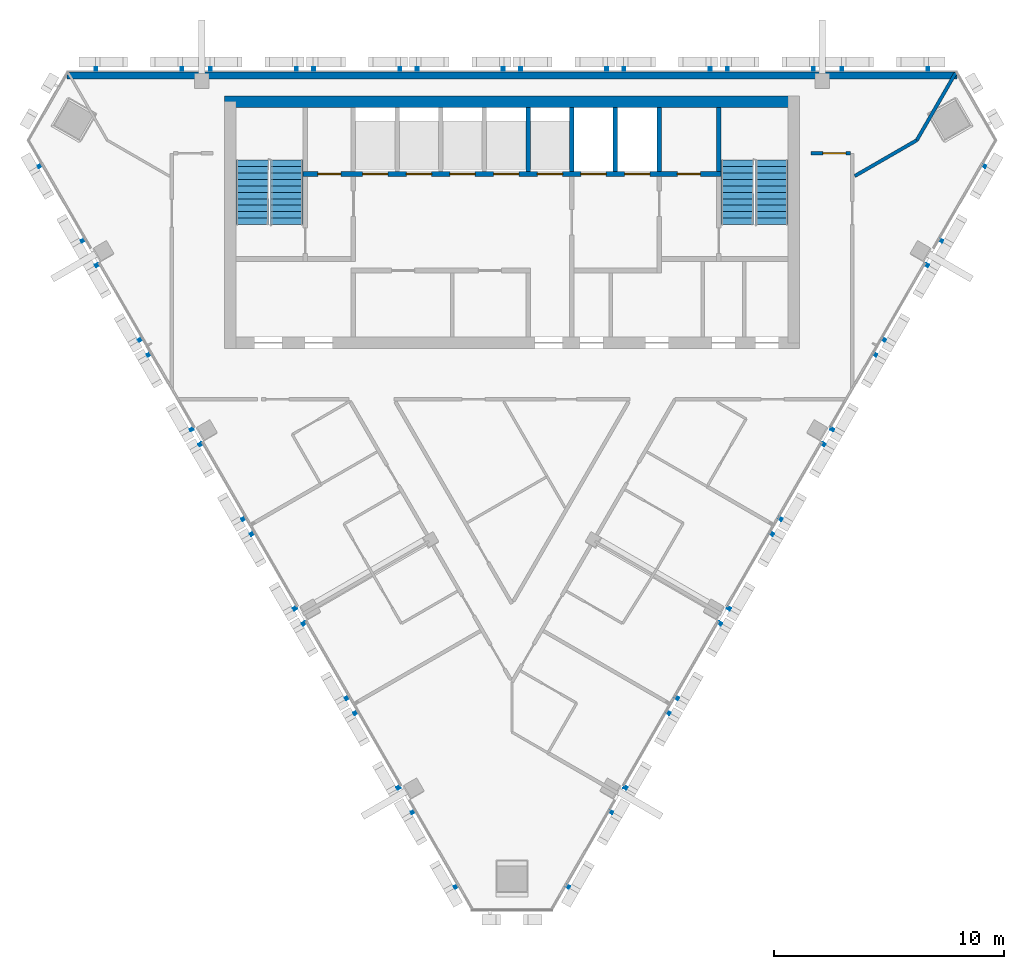
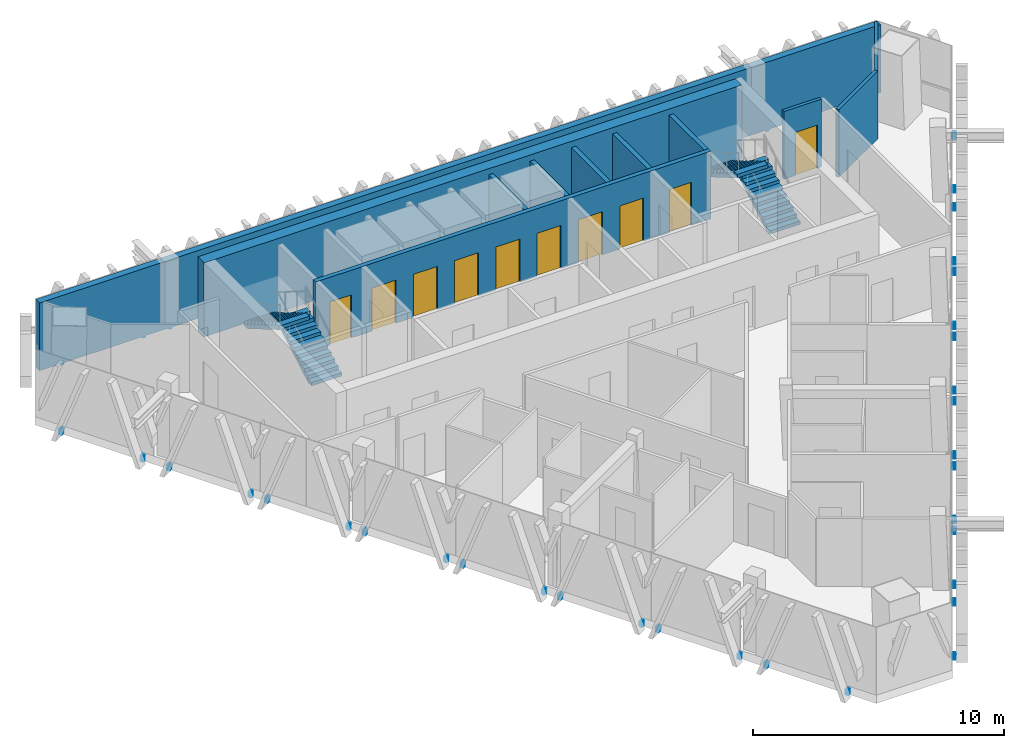
# One storey, part 8 of 12: 11 walls, 10 doors, 4 stair flights, 3 discrete accessories, 10 openings, 2 elements without a shape of their own.
"""IFC4 building model written with IfcOpenShell, lengths in metres."""

from ifc_helpers import new_model, si_unit, direction, frame, frame_2d, origin, place, context, subcontext, project, spatial, polyline, rectangle, outline, extrude, source, transform, mapped, material, layer, layer_set, type_object, element, fill, aggregate, save


model = new_model("IFC4")

# Units and contexts
model_context = context("Model", 3, precision=1e-05, world=origin(), true_north=direction((0.0, 1.0)))
body_context = subcontext(model_context, "Body", "Model", "MODEL_VIEW")
ifc_project = project(units=[si_unit("LENGTHUNIT", "METRE"), si_unit("AREAUNIT", "SQUARE_METRE"), si_unit("VOLUMEUNIT", "CUBIC_METRE"), si_unit("PLANEANGLEUNIT", "RADIAN"), si_unit("MASSUNIT", "GRAM", prefix="KILO")], contexts=[model_context])

# Site, building, storey
site_placement = place(None, origin())
site = spatial("IfcSite", under=ifc_project, at=site_placement, CompositionType="ELEMENT")
building_placement = place(site_placement, origin())
building = spatial("IfcBuilding", under=site, at=building_placement, Name="Altiplano Prism Tower", CompositionType="ELEMENT")
storey_placement = place(building_placement, frame((0.0, 0.0, 331.0)))
storey = spatial("IfcBuildingStorey", under=building, at=storey_placement, Name="L86", CompositionType="ELEMENT", Elevation=331.0)

# Wall
ifc_material_1 = material(Name="Concrete C60/75", Category="concrete")
ifc_layer_1 = layer(ifc_material_1, 0.5)
ifc_layer_set_1 = layer_set([ifc_layer_1], Name="Concrete C60/75")
wall_type_1 = type_object("IfcWallType", Name="Core wall 500", PredefinedType="SHEAR", material=ifc_layer_set_1)
wall_1_placement = place(storey_placement, frame((97.25, 103.64990234375, 0.0), z_axis=(0.0, 0.0, 1.0), x_axis=(-1.0, 0.0, 0.0)))
element("IfcWall", 1, at=wall_1_placement, inside=storey, type_object=wall_type_1, Name="Core wall N L86", PredefinedType="SHEAR", context=body_context, shape_type="SweptSolid", body=[
    extrude(rectangle(XDim=24.75, YDim=0.5, at=frame_2d((12.375, 0.0))), origin(), (0.0, 0.0, 1.0), 3.60009765625),
])

# Wall, opening, door
ifc_material_2 = material(Name="Plasterboard on steel stud", Category="steel")
ifc_layer_2 = layer(ifc_material_2, 0.14990234375)
ifc_layer_set_2 = layer_set([ifc_layer_2], Name="Plasterboard on steel stud")
wall_type_2 = type_object("IfcWallType", Name="Partition 150 corridor", PredefinedType="PARTITIONING", material=ifc_layer_set_2)
wall_2_placement = place(storey_placement, frame((99.7255859375, 101.40087890625, 0.0), z_axis=(0.0, 0.0, 1.0), x_axis=(-1.0, 0.0, 0.0)))
wall_2 = element("IfcWall", 2, at=wall_2_placement, inside=storey, type_object=wall_type_2, Name="Partition P06 L86 011", PredefinedType="PARTITIONING", context=body_context, shape_type="SweptSolid", body=[
    extrude(rectangle(XDim=1.7255859375, YDim=0.14990234375, at=frame_2d((0.86279296875, 0.0))), origin(), (0.0, 0.0, 1.0), 3.300048828125),
])
opening_1_placement = place(wall_2_placement, frame((0.199951171875, 0.0, 0.0)))
opening_1 = element("IfcOpeningElement", 3, at=opening_1_placement, cuts=wall_2, Name="Opening D2503", PredefinedType="OPENING", context=body_context, shape_type="SweptSolid", body=[
    extrude(rectangle(XDim=1.0, YDim=2.10009765625, at=frame_2d((0.5, 1.050048828125))), frame((0.0, 0.08544921875, 0.0), z_axis=(0.0, -1.0, 0.0), x_axis=(1.0, 0.0, 0.0)), (0.0, 0.0, 1.0), 0.1708984375),
])
ifc_material_3 = material(Name="Timber", Category="wood")
door_type_1 = type_object("IfcDoorType", Name="Room door 1000 x 2100", OperationType="NOTDEFINED", PredefinedType="NOTDEFINED", material=ifc_material_3)
door_1_placement = place(opening_1_placement, origin())
door_1 = element("IfcDoor", 4, at=door_1_placement, inside=storey, type_object=door_type_1, Name="Door D2503", OperationType="SINGLE_SWING_RIGHT", OverallHeight=2.10009765625, OverallWidth=1.0, PredefinedType="NOTDEFINED", context=body_context, shape_type="SweptSolid", body=[
    extrude(rectangle(XDim=1.0, YDim=2.10009765625, at=frame_2d((0.5, 1.050048828125))), frame((0.0, 0.02490234375, 0.0), z_axis=(0.0, -1.0, 0.0), x_axis=(1.0, 0.0, 0.0)), (0.0, 0.0, 1.0), 0.050048828125),
])
fill(opening_1, door_1)

# Walls
ifc_layer_3 = layer(ifc_material_2, 0.14990234375)
ifc_layer_set_3 = layer_set([ifc_layer_3], Name="Plasterboard on steel stud")
wall_type_3 = type_object("IfcWallType", Name="Partition 150 party", PredefinedType="PARTITIONING", material=ifc_layer_set_3)
wall_3_placement = place(storey_placement, frame((104.3056640625, 104.89990234375, 0.0), z_axis=(0.0, 0.0, 1.0), x_axis=(-0.500017996867, -0.866015013039, 0.0)))
element("IfcWall", 5, at=wall_3_placement, inside=storey, type_object=wall_type_3, Name="Partition P01 L86 044", PredefinedType="PARTITIONING", context=body_context, shape_type="SweptSolid", body=[
    extrude(rectangle(XDim=3.384765625, YDim=0.14990234375, at=frame_2d((1.6923828125, 0.0))), origin(), (0.0, 0.0, 1.0), 3.300048828125),
])
wall_4_placement = place(storey_placement, frame((102.61328125, 101.96875, 0.0), z_axis=(0.0, 0.0, 1.0), x_axis=(-0.866027821991, -0.499995811521, 0.0)))
element("IfcWall", 6, at=wall_4_placement, inside=storey, type_object=wall_type_3, Name="Partition P01 L86 045", PredefinedType="PARTITIONING", context=body_context, shape_type="SweptSolid", body=[
    extrude(rectangle(XDim=3.1181640625, YDim=0.14990234375, at=frame_2d((1.55908203125, 0.0))), origin(), (0.0, 0.0, 1.0), 3.300048828125),
])
ifc_layer_4 = layer(ifc_material_1, 0.199951171875)
ifc_layer_set_4 = layer_set([ifc_layer_4], Name="Concrete C60/75")
wall_type_4 = type_object("IfcWallType", Name="Shaft wall 200", PredefinedType="SOLIDWALL", material=ifc_layer_set_4)
for number, where, z_axis, x_axis, name in (
    (7, (85.699951171875, 100.60009765625, 0.0), (0.0, 0.0, 1.0), (0.0, 1.0, 0.0), "Shaft wall L86"),
    (8, (87.60009765625, 100.60009765625, 0.0), (0.0, 0.0, 1.0), (0.0, 1.0, 0.0), "Shaft wall L86"),
    (9, (89.5, 100.60009765625, 0.0), (0.0, 0.0, 1.0), (0.0, 1.0, 0.0), "Shaft wall L86"),
    (10, (91.39990234375, 100.60009765625, 0.0), (0.0, 0.0, 1.0), (0.0, 1.0, 0.0), "Shaft wall L86"),
):
    element("IfcWall", number, at=place(storey_placement, frame(where, z_axis=z_axis, x_axis=x_axis)), inside=storey, type_object=wall_type_4, Name=name, PredefinedType="SOLIDWALL", context=body_context, shape_type="SweptSolid", body=[
        extrude(rectangle(XDim=2.7998046875, YDim=0.199951171875, at=frame_2d((1.39990234375, 0.0))), origin(), (0.0, 0.0, 1.0), 3.300048828125),
    ])

# Wall, openings, doors
ifc_layer_5 = layer(ifc_material_1, 0.199951171875)
ifc_layer_set_5 = layer_set([ifc_layer_5], Name="Concrete C60/75")
wall_type_5 = type_object("IfcWallType", Name="Stair wall 200", PredefinedType="SOLIDWALL", material=ifc_layer_set_5)
wall_5_placement = place(storey_placement, frame((75.89990234375, 100.5, 0.0), z_axis=(0.0, 0.0, 1.0), x_axis=(1.0, 0.0, 0.0)))
wall_5 = element("IfcWall", 11, at=wall_5_placement, inside=storey, type_object=wall_type_5, Name="Stair wall L86", PredefinedType="SOLIDWALL", context=body_context, shape_type="SweptSolid", body=[
    extrude(rectangle(XDim=18.2001953125, YDim=0.199951171875, at=frame_2d((9.10009765625, 0.0))), origin(), (0.0, 0.0, 1.0), 3.300048828125),
])
opening_2_placement = place(wall_5_placement, frame((2.60009765625, 0.0, 0.0)))
opening_2 = element("IfcOpeningElement", 12, at=opening_2_placement, cuts=wall_5, Name="Opening LD-HL1-L86", PredefinedType="OPENING", context=body_context, shape_type="SweptSolid", body=[
    extrude(rectangle(XDim=1.10009765625, YDim=2.10009765625, at=frame_2d((0.550048828125, 1.050048828125))), frame((0.0, 0.1103515625, 0.0), z_axis=(0.0, -1.0, 0.0), x_axis=(1.0, 0.0, 0.0)), (0.0, 0.0, 1.0), 0.220947265625),
])
opening_3_placement = place(wall_5_placement, frame((4.5, 0.0, 0.0)))
opening_3 = element("IfcOpeningElement", 13, at=opening_3_placement, cuts=wall_5, Name="Opening LD-HL2-L86", PredefinedType="OPENING", context=body_context, shape_type="SweptSolid", body=[
    extrude(rectangle(XDim=1.10009765625, YDim=2.10009765625, at=frame_2d((0.550048828125, 1.050048828125))), frame((0.0, 0.1103515625, 0.0), z_axis=(0.0, -1.0, 0.0), x_axis=(1.0, 0.0, 0.0)), (0.0, 0.0, 1.0), 0.220947265625),
])
opening_4_placement = place(wall_5_placement, frame((6.39990234375, 0.0, 0.0)))
opening_4 = element("IfcOpeningElement", 14, at=opening_4_placement, cuts=wall_5, Name="Opening LD-HL3-L86", PredefinedType="OPENING", context=body_context, shape_type="SweptSolid", body=[
    extrude(rectangle(XDim=1.10009765625, YDim=2.10009765625, at=frame_2d((0.550048828125, 1.050048828125))), frame((0.0, 0.1103515625, 0.0), z_axis=(0.0, -1.0, 0.0), x_axis=(1.0, 0.0, 0.0)), (0.0, 0.0, 1.0), 0.220947265625),
])
opening_5_placement = place(wall_5_placement, frame((8.300048828125, 0.0, 0.0)))
opening_5 = element("IfcOpeningElement", 15, at=opening_5_placement, cuts=wall_5, Name="Opening LD-HL4-L86", PredefinedType="OPENING", context=body_context, shape_type="SweptSolid", body=[
    extrude(rectangle(XDim=1.10009765625, YDim=2.10009765625, at=frame_2d((0.550048828125, 1.050048828125))), frame((0.0, 0.1103515625, 0.0), z_axis=(0.0, -1.0, 0.0), x_axis=(1.0, 0.0, 0.0)), (0.0, 0.0, 1.0), 0.220947265625),
])
opening_6_placement = place(wall_5_placement, frame((10.199951171875, 0.0, 0.0)))
opening_6 = element("IfcOpeningElement", 16, at=opening_6_placement, cuts=wall_5, Name="Opening LD-HL5-L86", PredefinedType="OPENING", context=body_context, shape_type="SweptSolid", body=[
    extrude(rectangle(XDim=1.10009765625, YDim=2.10009765625, at=frame_2d((0.550048828125, 1.050048828125))), frame((0.0, 0.1103515625, 0.0), z_axis=(0.0, -1.0, 0.0), x_axis=(1.0, 0.0, 0.0)), (0.0, 0.0, 1.0), 0.220947265625),
])
opening_7_placement = place(wall_5_placement, frame((12.10009765625, 0.0, 0.0)))
opening_7 = element("IfcOpeningElement", 17, at=opening_7_placement, cuts=wall_5, Name="Opening LD-FF1-L86", PredefinedType="OPENING", context=body_context, shape_type="SweptSolid", body=[
    extrude(rectangle(XDim=1.10009765625, YDim=2.10009765625, at=frame_2d((0.550048828125, 1.050048828125))), frame((0.0, 0.1103515625, 0.0), z_axis=(0.0, -1.0, 0.0), x_axis=(1.0, 0.0, 0.0)), (0.0, 0.0, 1.0), 0.220947265625),
])
opening_8_placement = place(wall_5_placement, frame((14.0, 0.0, 0.0)))
opening_8 = element("IfcOpeningElement", 18, at=opening_8_placement, cuts=wall_5, Name="Opening LD-FF2-L86", PredefinedType="OPENING", context=body_context, shape_type="SweptSolid", body=[
    extrude(rectangle(XDim=1.10009765625, YDim=2.10009765625, at=frame_2d((0.550048828125, 1.050048828125))), frame((0.0, 0.1103515625, 0.0), z_axis=(0.0, -1.0, 0.0), x_axis=(1.0, 0.0, 0.0)), (0.0, 0.0, 1.0), 0.220947265625),
])
opening_9_placement = place(wall_5_placement, frame((0.64990234375, 0.0, 0.0)))
opening_9 = element("IfcOpeningElement", 19, at=opening_9_placement, cuts=wall_5, Name="Opening D3808", PredefinedType="OPENING", context=body_context, shape_type="SweptSolid", body=[
    extrude(rectangle(XDim=1.0, YDim=2.10009765625, at=frame_2d((0.5, 1.050048828125))), frame((0.0, 0.1103515625, 0.0), z_axis=(0.0, -1.0, 0.0), x_axis=(1.0, 0.0, 0.0)), (0.0, 0.0, 1.0), 0.220947265625),
])
opening_10_placement = place(wall_5_placement, frame((16.300048828125, 0.0, 0.0)))
opening_10 = element("IfcOpeningElement", 20, at=opening_10_placement, cuts=wall_5, Name="Opening D3809", PredefinedType="OPENING", context=body_context, shape_type="SweptSolid", body=[
    extrude(rectangle(XDim=1.0, YDim=2.10009765625, at=frame_2d((0.5, 1.050048828125))), frame((0.0, 0.1103515625, 0.0), z_axis=(0.0, -1.0, 0.0), x_axis=(1.0, 0.0, 0.0)), (0.0, 0.0, 1.0), 0.220947265625),
])
ifc_material_4 = material(Name="Fire-rated steel door", Category="steel")
door_type_2 = type_object("IfcDoorType", Name="Core room door 1000 x 2100", OperationType="NOTDEFINED", PredefinedType="NOTDEFINED", material=ifc_material_4)
door_2_placement = place(opening_9_placement, origin())
door_2 = element("IfcDoor", 21, at=door_2_placement, inside=storey, type_object=door_type_2, Name="Core room door D3808", OperationType="SINGLE_SWING_LEFT", OverallHeight=2.10009765625, OverallWidth=1.0, PredefinedType="NOTDEFINED", context=body_context, shape_type="SweptSolid", body=[
    extrude(rectangle(XDim=1.0, YDim=2.10009765625, at=frame_2d((0.5, 1.050048828125))), frame((0.0, 0.02490234375, 0.0), z_axis=(0.0, -1.0, 0.0), x_axis=(1.0, 0.0, 0.0)), (0.0, 0.0, 1.0), 0.050048828125),
])
fill(opening_9, door_2)
door_3_placement = place(opening_10_placement, origin())
door_3 = element("IfcDoor", 22, at=door_3_placement, inside=storey, type_object=door_type_2, Name="Core room door D3809", OperationType="SINGLE_SWING_RIGHT", OverallHeight=2.10009765625, OverallWidth=1.0, PredefinedType="NOTDEFINED", context=body_context, shape_type="SweptSolid", body=[
    extrude(rectangle(XDim=1.0, YDim=2.10009765625, at=frame_2d((0.5, 1.050048828125))), frame((0.0, 0.02490234375, 0.0), z_axis=(0.0, -1.0, 0.0), x_axis=(1.0, 0.0, 0.0)), (0.0, 0.0, 1.0), 0.050048828125),
])
fill(opening_10, door_3)
ifc_material_5 = material(Name="Stainless steel landing door", Category="steel")
door_type_3 = type_object("IfcDoorType", Name="Landing door 1100 x 2100", OperationType="NOTDEFINED", PredefinedType="NOTDEFINED", material=ifc_material_5)
door_4_placement = place(opening_2_placement, origin())
door_4 = element("IfcDoor", 23, at=door_4_placement, inside=storey, type_object=door_type_3, Name="Landing doors HL1", OperationType="SLIDING_TO_RIGHT", OverallHeight=2.10009765625, OverallWidth=1.10009765625, PredefinedType="NOTDEFINED", context=body_context, shape_type="SweptSolid", body=[
    extrude(rectangle(XDim=1.10009765625, YDim=2.10009765625, at=frame_2d((0.550048828125, 1.050048828125))), frame((0.0, 0.02490234375, 0.0), z_axis=(0.0, -1.0, 0.0), x_axis=(1.0, 0.0, 0.0)), (0.0, 0.0, 1.0), 0.050048828125),
])
fill(opening_2, door_4)
door_5_placement = place(opening_3_placement, origin())
door_5 = element("IfcDoor", 24, at=door_5_placement, inside=storey, type_object=door_type_3, Name="Landing doors HL2", OperationType="SLIDING_TO_LEFT", OverallHeight=2.10009765625, OverallWidth=1.10009765625, PredefinedType="NOTDEFINED", context=body_context, shape_type="SweptSolid", body=[
    extrude(rectangle(XDim=1.10009765625, YDim=2.10009765625, at=frame_2d((0.550048828125, 1.050048828125))), frame((0.0, 0.02490234375, 0.0), z_axis=(0.0, -1.0, 0.0), x_axis=(1.0, 0.0, 0.0)), (0.0, 0.0, 1.0), 0.050048828125),
])
fill(opening_3, door_5)
door_6_placement = place(opening_4_placement, origin())
door_6 = element("IfcDoor", 25, at=door_6_placement, inside=storey, type_object=door_type_3, Name="Landing doors HL3", OperationType="SLIDING_TO_RIGHT", OverallHeight=2.10009765625, OverallWidth=1.10009765625, PredefinedType="NOTDEFINED", context=body_context, shape_type="SweptSolid", body=[
    extrude(rectangle(XDim=1.10009765625, YDim=2.10009765625, at=frame_2d((0.550048828125, 1.050048828125))), frame((0.0, 0.02490234375, 0.0), z_axis=(0.0, -1.0, 0.0), x_axis=(1.0, 0.0, 0.0)), (0.0, 0.0, 1.0), 0.050048828125),
])
fill(opening_4, door_6)
door_7_placement = place(opening_5_placement, origin())
door_7 = element("IfcDoor", 26, at=door_7_placement, inside=storey, type_object=door_type_3, Name="Landing doors HL4", OperationType="SLIDING_TO_LEFT", OverallHeight=2.10009765625, OverallWidth=1.10009765625, PredefinedType="NOTDEFINED", context=body_context, shape_type="SweptSolid", body=[
    extrude(rectangle(XDim=1.10009765625, YDim=2.10009765625, at=frame_2d((0.550048828125, 1.050048828125))), frame((0.0, 0.02490234375, 0.0), z_axis=(0.0, -1.0, 0.0), x_axis=(1.0, 0.0, 0.0)), (0.0, 0.0, 1.0), 0.050048828125),
])
fill(opening_5, door_7)
door_8_placement = place(opening_6_placement, origin())
door_8 = element("IfcDoor", 27, at=door_8_placement, inside=storey, type_object=door_type_3, Name="Landing doors HL5", OperationType="SLIDING_TO_RIGHT", OverallHeight=2.10009765625, OverallWidth=1.10009765625, PredefinedType="NOTDEFINED", context=body_context, shape_type="SweptSolid", body=[
    extrude(rectangle(XDim=1.10009765625, YDim=2.10009765625, at=frame_2d((0.550048828125, 1.050048828125))), frame((0.0, 0.02490234375, 0.0), z_axis=(0.0, -1.0, 0.0), x_axis=(1.0, 0.0, 0.0)), (0.0, 0.0, 1.0), 0.050048828125),
])
fill(opening_6, door_8)
door_9_placement = place(opening_7_placement, origin())
door_9 = element("IfcDoor", 28, at=door_9_placement, inside=storey, type_object=door_type_3, Name="Landing doors FF1", OperationType="SLIDING_TO_RIGHT", OverallHeight=2.10009765625, OverallWidth=1.10009765625, PredefinedType="NOTDEFINED", context=body_context, shape_type="SweptSolid", body=[
    extrude(rectangle(XDim=1.10009765625, YDim=2.10009765625, at=frame_2d((0.550048828125, 1.050048828125))), frame((0.0, 0.02490234375, 0.0), z_axis=(0.0, -1.0, 0.0), x_axis=(1.0, 0.0, 0.0)), (0.0, 0.0, 1.0), 0.050048828125),
])
fill(opening_7, door_9)
door_10_placement = place(opening_8_placement, origin())
door_10 = element("IfcDoor", 29, at=door_10_placement, inside=storey, type_object=door_type_3, Name="Landing doors FF2", OperationType="SLIDING_TO_LEFT", OverallHeight=2.10009765625, OverallWidth=1.10009765625, PredefinedType="NOTDEFINED", context=body_context, shape_type="SweptSolid", body=[
    extrude(rectangle(XDim=1.10009765625, YDim=2.10009765625, at=frame_2d((0.550048828125, 1.050048828125))), frame((0.0, 0.02490234375, 0.0), z_axis=(0.0, -1.0, 0.0), x_axis=(1.0, 0.0, 0.0)), (0.0, 0.0, 1.0), 0.050048828125),
])
fill(opening_8, door_10)

# Walls
wall_6_placement = place(storey_placement, frame((94.0, 100.60009765625, 0.0), z_axis=(0.0, 0.0, 1.0), x_axis=(0.0, 1.0, 0.0)))
element("IfcWall", 30, at=wall_6_placement, inside=storey, type_object=wall_type_5, Name="Stair wall L86", PredefinedType="SOLIDWALL", context=body_context, shape_type="SweptSolid", body=[
    extrude(rectangle(XDim=2.7998046875, YDim=0.199951171875, at=frame_2d((1.39990234375, 0.0))), origin(), (0.0, 0.0, 1.0), 3.300048828125),
])
ifc_material_6 = material(Name="Concrete C40", Category="concrete")
ifc_layer_6 = layer(ifc_material_6, 0.300048828125)
ifc_layer_set_6 = layer_set([ifc_layer_6], Name="Concrete C40")
wall_type_6 = type_object("IfcWallType", Name="Stone-clad external wall 300", PredefinedType="SOLIDWALL", material=ifc_layer_set_6)
wall_7_placement = place(storey_placement, frame((65.63671875, 104.7900390625, 0.0), z_axis=(0.0, 0.0, 1.0), x_axis=(1.0, 0.0, 0.0)))
element("IfcWall", 31, at=wall_7_placement, inside=storey, type_object=wall_type_6, Name="External wall north face L86", PredefinedType="SOLIDWALL", context=body_context, shape_type="SweptSolid", body=[
    extrude(rectangle(XDim=38.7265625, YDim=0.300048828125, at=frame_2d((19.36328125, 0.0))), origin(), (0.0, 0.0, 1.0), 3.300048828125),
])

# Stair, stair flights
ifc_material_7 = material(Name="Concrete C40/50", Category="concrete")
stair_type = type_object("IfcStairType", Name="Exit stair 1400", PredefinedType="HALF_TURN_STAIR", material=ifc_material_7)
stair_1_placement = place(storey_placement, origin())
stair_1 = element("IfcStair", 32, at=stair_1_placement, inside=storey, type_object=stair_type, Name="L86 Exit Stair 1", PredefinedType="HALF_TURN_STAIR")
stair_flight_type = type_object("IfcStairFlightType", Name="Stair flight concrete 150", PredefinedType="STRAIGHT", material=ifc_material_7)
stair_flight_1_placement = place(storey_placement, frame((75.199951171875, 98.300048828125, 0.0), z_axis=(0.0, 0.0, 1.0), x_axis=(0.0, 1.0, 0.0)))
stair_flight_1 = element("IfcStairFlight", 33, at=stair_flight_1_placement, type_object=stair_flight_type, Name="ST1 flight 1", NumberOfRisers=11, NumberOfTreads=10, PredefinedType="STRAIGHT", RiserHeight=0.163636364, TreadLength=0.28, context=body_context, shape_type="SweptSolid", body=[
    extrude(outline(polyline([(0.0, 0.0), (0.0, 0.16357421875), (0.280029296875, 0.16357421875), (0.280029296875, 0.327392578125), (0.56005859375, 0.327392578125), (0.56005859375, 0.490966796875), (0.840087890625, 0.490966796875), (0.840087890625, 0.654541015625), (1.1201171875, 0.654541015625), (1.1201171875, 0.818115234375), (1.39990234375, 0.818115234375), (1.39990234375, 0.98193359375), (1.679931640625, 0.98193359375), (1.679931640625, 1.1455078125), (1.9599609375, 1.1455078125), (1.9599609375, 1.30908203125), (2.239990234375, 1.30908203125), (2.239990234375, 1.47265625), (2.52001953125, 1.47265625), (2.52001953125, 1.636474609375), (2.800048828125, 1.636474609375), (2.800048828125, 1.800048828125), (2.800048828125, 1.462646484375), (0.297119140625, 0.0), (0.0, 0.0)])), frame((0.0, 0.699951171875, 0.0), z_axis=(0.0, -1.0, 0.0), x_axis=(1.0, 0.0, 0.0)), (0.0, 0.0, 1.0), 1.39990234375),
])
stair_flight_2_placement = place(storey_placement, frame((73.699951171875, 101.10009765625, 1.800048828125), z_axis=(0.0, 0.0, 1.0), x_axis=(0.0, -1.0, 0.0)))
stair_flight_2 = element("IfcStairFlight", 34, at=stair_flight_2_placement, type_object=stair_flight_type, Name="ST1 flight 2", NumberOfRisers=11, NumberOfTreads=10, PredefinedType="STRAIGHT", RiserHeight=0.163636364, TreadLength=0.28, context=body_context, shape_type="SweptSolid", body=[
    extrude(outline(polyline([(0.0, 0.0), (0.0, 0.16357421875), (0.280029296875, 0.16357421875), (0.280029296875, 0.327392578125), (0.56005859375, 0.327392578125), (0.56005859375, 0.490966796875), (0.840087890625, 0.490966796875), (0.840087890625, 0.654541015625), (1.1201171875, 0.654541015625), (1.1201171875, 0.818115234375), (1.39990234375, 0.818115234375), (1.39990234375, 0.98193359375), (1.679931640625, 0.98193359375), (1.679931640625, 1.1455078125), (1.9599609375, 1.1455078125), (1.9599609375, 1.30908203125), (2.239990234375, 1.30908203125), (2.239990234375, 1.47265625), (2.52001953125, 1.47265625), (2.52001953125, 1.636474609375), (2.800048828125, 1.636474609375), (2.800048828125, 1.800048828125), (2.800048828125, 1.462646484375), (0.297119140625, 0.0), (0.0, 0.0)])), frame((0.0, 0.699951171875, 0.0), z_axis=(0.0, -1.0, 0.0), x_axis=(1.0, 0.0, 0.0)), (0.0, 0.0, 1.0), 1.39990234375),
])
aggregate(stair_1, [stair_flight_1, stair_flight_2])

stair_2_placement = place(storey_placement, origin())
stair_2 = element("IfcStair", 35, at=stair_2_placement, inside=storey, type_object=stair_type, Name="L86 Exit Stair 2", PredefinedType="HALF_TURN_STAIR")
stair_flight_3_placement = place(storey_placement, frame((96.300048828125, 98.300048828125, 0.0), z_axis=(0.0, 0.0, 1.0), x_axis=(0.0, 1.0, 0.0)))
stair_flight_3 = element("IfcStairFlight", 36, at=stair_flight_3_placement, type_object=stair_flight_type, Name="ST2 flight 1", NumberOfRisers=11, NumberOfTreads=10, PredefinedType="STRAIGHT", RiserHeight=0.163636364, TreadLength=0.28, context=body_context, shape_type="SweptSolid", body=[
    extrude(outline(polyline([(0.0, 0.0), (0.0, 0.16357421875), (0.280029296875, 0.16357421875), (0.280029296875, 0.327392578125), (0.56005859375, 0.327392578125), (0.56005859375, 0.490966796875), (0.840087890625, 0.490966796875), (0.840087890625, 0.654541015625), (1.1201171875, 0.654541015625), (1.1201171875, 0.818115234375), (1.39990234375, 0.818115234375), (1.39990234375, 0.98193359375), (1.679931640625, 0.98193359375), (1.679931640625, 1.1455078125), (1.9599609375, 1.1455078125), (1.9599609375, 1.30908203125), (2.239990234375, 1.30908203125), (2.239990234375, 1.47265625), (2.52001953125, 1.47265625), (2.52001953125, 1.636474609375), (2.800048828125, 1.636474609375), (2.800048828125, 1.800048828125), (2.800048828125, 1.462646484375), (0.297119140625, 0.0), (0.0, 0.0)])), frame((0.0, 0.699951171875, 0.0), z_axis=(0.0, -1.0, 0.0), x_axis=(1.0, 0.0, 0.0)), (0.0, 0.0, 1.0), 1.39990234375),
])
stair_flight_4_placement = place(storey_placement, frame((94.800048828125, 101.10009765625, 1.800048828125), z_axis=(0.0, 0.0, 1.0), x_axis=(0.0, -1.0, 0.0)))
stair_flight_4 = element("IfcStairFlight", 37, at=stair_flight_4_placement, type_object=stair_flight_type, Name="ST2 flight 2", NumberOfRisers=11, NumberOfTreads=10, PredefinedType="STRAIGHT", RiserHeight=0.163636364, TreadLength=0.28, context=body_context, shape_type="SweptSolid", body=[
    extrude(outline(polyline([(0.0, 0.0), (0.0, 0.16357421875), (0.280029296875, 0.16357421875), (0.280029296875, 0.327392578125), (0.56005859375, 0.327392578125), (0.56005859375, 0.490966796875), (0.840087890625, 0.490966796875), (0.840087890625, 0.654541015625), (1.1201171875, 0.654541015625), (1.1201171875, 0.818115234375), (1.39990234375, 0.818115234375), (1.39990234375, 0.98193359375), (1.679931640625, 0.98193359375), (1.679931640625, 1.1455078125), (1.9599609375, 1.1455078125), (1.9599609375, 1.30908203125), (2.239990234375, 1.30908203125), (2.239990234375, 1.47265625), (2.52001953125, 1.47265625), (2.52001953125, 1.636474609375), (2.800048828125, 1.636474609375), (2.800048828125, 1.800048828125), (2.800048828125, 1.462646484375), (0.297119140625, 0.0), (0.0, 0.0)])), frame((0.0, 0.699951171875, 0.0), z_axis=(0.0, -1.0, 0.0), x_axis=(1.0, 0.0, 0.0)), (0.0, 0.0, 1.0), 1.39990234375),
])
aggregate(stair_2, [stair_flight_3, stair_flight_4])

# Discrete accessories
ifc_material_8 = material(Name="Stainless steel", Category="steel")
discrete_accessory_type = type_object("IfcDiscreteAccessoryType", Name="Stone fin fixing prongs", PredefinedType="USERDEFINED", material=ifc_material_8)
shared_shape_1 = source(origin(), body_context, "Body", "SweptSolid", [
    extrude(outline(polyline([(-1.933837890625, 0.06005859375), (-1.81396484375, 0.06005859375), (-1.81396484375, 0.340087890625), (-1.933837890625, 0.340087890625), (-1.933837890625, 0.06005859375)])), frame((0.0, 0.0, 0.0), z_axis=(0.0, -1.0, 0.0), x_axis=(1.0, 0.0, 0.0)), (0.0, 0.0, 1.0), 0.14990234375),
    extrude(outline(polyline([(1.81396484375, 0.06005859375), (1.933837890625, 0.06005859375), (1.933837890625, 0.340087890625), (1.81396484375, 0.340087890625), (1.81396484375, 0.06005859375)])), frame((0.0, 0.0, 0.0), z_axis=(0.0, -1.0, 0.0), x_axis=(1.0, 0.0, 0.0)), (0.0, 0.0, 1.0), 0.14990234375),
])
shared_shape_2 = source(origin(), body_context, "Body", "SweptSolid", [
    extrude(outline(polyline([(-1.933837890625, 0.06005859375), (-1.81396484375, 0.06005859375), (-1.81396484375, 0.340087890625), (-1.933837890625, 0.340087890625), (-1.933837890625, 0.06005859375)])), frame((0.0, 0.0, 0.0), z_axis=(0.0, -1.0, 0.0), x_axis=(1.0, 0.0, 0.0)), (0.0, 0.0, 1.0), 0.14990234375),
    extrude(outline(polyline([(1.81396484375, 0.06005859375), (1.933837890625, 0.06005859375), (1.933837890625, 0.340087890625), (1.81396484375, 0.340087890625), (1.81396484375, 0.06005859375)])), frame((0.0, 0.0, 0.0), z_axis=(0.0, -1.0, 0.0), x_axis=(1.0, 0.0, 0.0)), (0.0, 0.0, 1.0), 0.14990234375),
])
discrete_accessory_1_placement = place(storey_placement, origin())
element("IfcDiscreteAccessory", 38, at=discrete_accessory_1_placement, inside=storey, type_object=discrete_accessory_type, Name="Fin fixings L86 north face", ObjectType="BRACKET", PredefinedType="USERDEFINED", context=body_context, shape_type="MappedRepresentation", body=[
    mapped(shared_shape_1, transform((101.231689453125, 105.0, -0.39990234375), x_axis=(-1.0, 0.0, 0.0), y_axis=(0.0, -1.0, 0.0), z_axis=(0.0, 0.0, 1.0))),
    mapped(shared_shape_2, transform((96.25, 105.0, -0.39990234375), x_axis=(-1.0, 0.0, 0.0), y_axis=(0.0, -1.0, 0.0), z_axis=(0.0, 0.0, 1.0))),
    mapped(shared_shape_2, transform((91.75, 105.0, -0.39990234375), x_axis=(-1.0, 0.0, 0.0), y_axis=(0.0, -1.0, 0.0), z_axis=(0.0, 0.0, 1.0))),
    mapped(shared_shape_2, transform((87.25, 105.0, -0.39990234375), x_axis=(-1.0, 0.0, 0.0), y_axis=(0.0, -1.0, 0.0), z_axis=(0.0, 0.0, 1.0))),
    mapped(shared_shape_2, transform((82.75, 105.0, -0.39990234375), x_axis=(-1.0, 0.0, 0.0), y_axis=(0.0, -1.0, 0.0), z_axis=(0.0, 0.0, 1.0))),
    mapped(shared_shape_2, transform((78.25, 105.0, -0.39990234375), x_axis=(-1.0, 0.0, 0.0), y_axis=(0.0, -1.0, 0.0), z_axis=(0.0, 0.0, 1.0))),
    mapped(shared_shape_2, transform((73.75, 105.0, -0.39990234375), x_axis=(-1.0, 0.0, 0.0), y_axis=(0.0, -1.0, 0.0), z_axis=(0.0, 0.0, 1.0))),
    mapped(shared_shape_1, transform((68.768310546875, 105.0, -0.39990234375), x_axis=(-1.0, 0.0, 0.0), y_axis=(0.0, -1.0, 0.0), z_axis=(0.0, 0.0, 1.0))),
])
discrete_accessory_2_placement = place(storey_placement, origin())
element("IfcDiscreteAccessory", 39, at=discrete_accessory_2_placement, inside=storey, type_object=discrete_accessory_type, Name="Fin fixings L86 south-west face", ObjectType="BRACKET", PredefinedType="USERDEFINED", context=body_context, shape_type="MappedRepresentation", body=[
    mapped(shared_shape_1, transform((65.452392578125, 99.256591796875, -0.39990234375), x_axis=(0.499999996041, -0.86602540607, 0.0), y_axis=(0.86602540607, 0.499999996041, 0.0), z_axis=(0.0, 0.0, 1.0))),
    mapped(shared_shape_2, transform((67.943115234375, 94.942138671875, -0.39990234375), x_axis=(0.499999996041, -0.86602540607, 0.0), y_axis=(0.86602540607, 0.499999996041, 0.0), z_axis=(0.0, 0.0, 1.0))),
    mapped(shared_shape_2, transform((70.193115234375, 91.045166015625, -0.39990234375), x_axis=(0.499999996041, -0.86602540607, 0.0), y_axis=(0.86602540607, 0.499999996041, 0.0), z_axis=(0.0, 0.0, 1.0))),
    mapped(shared_shape_2, transform((72.443115234375, 87.14794921875, -0.39990234375), x_axis=(0.499999996041, -0.86602540607, 0.0), y_axis=(0.86602540607, 0.499999996041, 0.0), z_axis=(0.0, 0.0, 1.0))),
    mapped(shared_shape_2, transform((74.693115234375, 83.2509765625, -0.39990234375), x_axis=(0.499999996041, -0.86602540607, 0.0), y_axis=(0.86602540607, 0.499999996041, 0.0), z_axis=(0.0, 0.0, 1.0))),
    mapped(shared_shape_2, transform((76.943115234375, 79.353759765625, -0.39990234375), x_axis=(0.499999996041, -0.86602540607, 0.0), y_axis=(0.86602540607, 0.499999996041, 0.0), z_axis=(0.0, 0.0, 1.0))),
    mapped(shared_shape_2, transform((79.193115234375, 75.45654296875, -0.39990234375), x_axis=(0.499999996041, -0.86602540607, 0.0), y_axis=(0.86602540607, 0.499999996041, 0.0), z_axis=(0.0, 0.0, 1.0))),
    mapped(shared_shape_1, transform((81.68408203125, 71.142333984375, -0.39990234375), x_axis=(0.499999996041, -0.86602540607, 0.0), y_axis=(0.86602540607, 0.499999996041, 0.0), z_axis=(0.0, 0.0, 1.0))),
])
discrete_accessory_3_placement = place(storey_placement, origin())
element("IfcDiscreteAccessory", 40, at=discrete_accessory_3_placement, inside=storey, type_object=discrete_accessory_type, Name="Fin fixings L86 south-east face", ObjectType="BRACKET", PredefinedType="USERDEFINED", context=body_context, shape_type="MappedRepresentation", body=[
    mapped(shared_shape_1, transform((88.31591796875, 71.142333984375, -0.39990234375), x_axis=(0.499999996041, 0.86602540607, 0.0), y_axis=(-0.86602540607, 0.499999996041, 0.0), z_axis=(0.0, 0.0, 1.0))),
    mapped(shared_shape_2, transform((90.806884765625, 75.45654296875, -0.39990234375), x_axis=(0.499999996041, 0.86602540607, 0.0), y_axis=(-0.86602540607, 0.499999996041, 0.0), z_axis=(0.0, 0.0, 1.0))),
    mapped(shared_shape_2, transform((93.056884765625, 79.353759765625, -0.39990234375), x_axis=(0.499999996041, 0.86602540607, 0.0), y_axis=(-0.86602540607, 0.499999996041, 0.0), z_axis=(0.0, 0.0, 1.0))),
    mapped(shared_shape_2, transform((95.306884765625, 83.2509765625, -0.39990234375), x_axis=(0.499999996041, 0.86602540607, 0.0), y_axis=(-0.86602540607, 0.499999996041, 0.0), z_axis=(0.0, 0.0, 1.0))),
    mapped(shared_shape_2, transform((97.556884765625, 87.14794921875, -0.39990234375), x_axis=(0.499999996041, 0.86602540607, 0.0), y_axis=(-0.86602540607, 0.499999996041, 0.0), z_axis=(0.0, 0.0, 1.0))),
    mapped(shared_shape_2, transform((99.806884765625, 91.045166015625, -0.39990234375), x_axis=(0.499999996041, 0.86602540607, 0.0), y_axis=(-0.86602540607, 0.499999996041, 0.0), z_axis=(0.0, 0.0, 1.0))),
    mapped(shared_shape_2, transform((102.056884765625, 94.942138671875, -0.39990234375), x_axis=(0.499999996041, 0.86602540607, 0.0), y_axis=(-0.86602540607, 0.499999996041, 0.0), z_axis=(0.0, 0.0, 1.0))),
    mapped(shared_shape_1, transform((104.547607421875, 99.256591796875, -0.39990234375), x_axis=(0.499999996041, 0.86602540607, 0.0), y_axis=(-0.86602540607, 0.499999996041, 0.0), z_axis=(0.0, 0.0, 1.0))),
])

save(model, "model.ifc")
